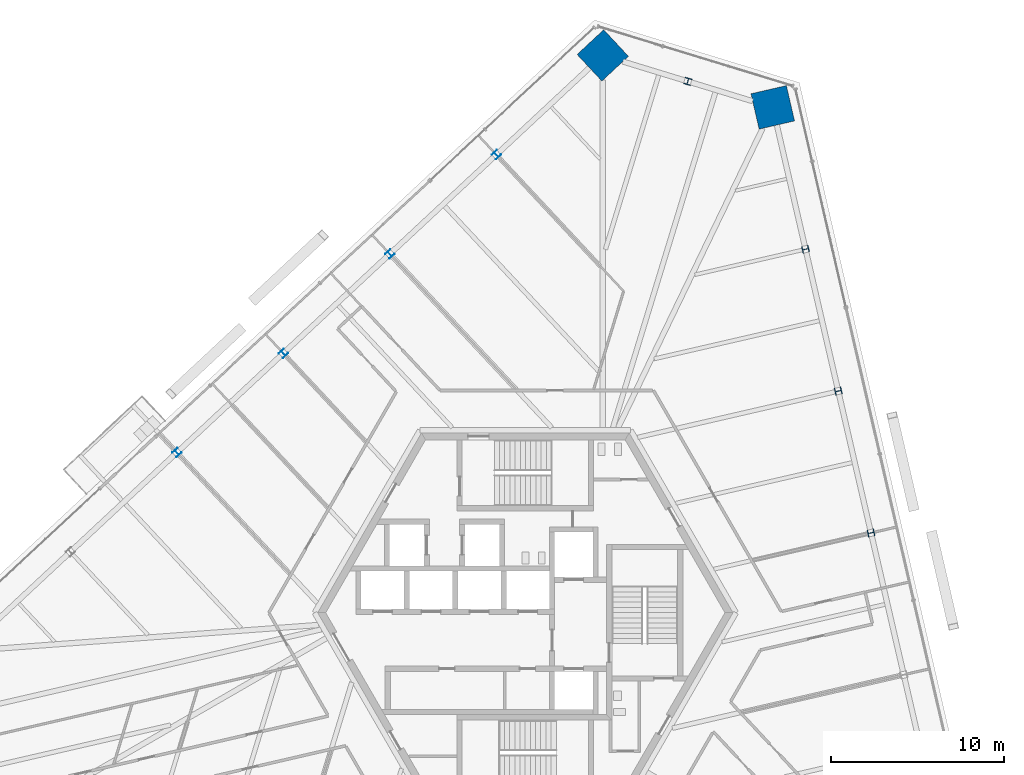
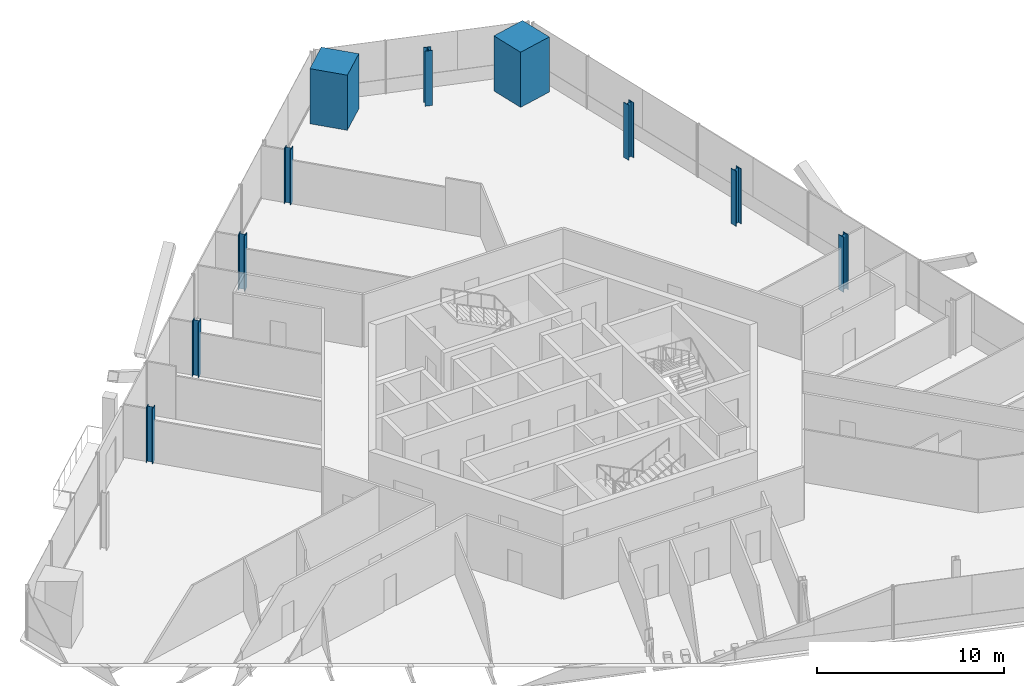
# One storey, part 3 of 20: 10 columns.
"""IFC4 building model written with IfcOpenShell, lengths in metres."""

from ifc_helpers import new_model, si_unit, direction, frame, origin, origin_2d, place, context, subcontext, project, spatial, rectangle, i_section, extrude, source, transform, mapped, material, material_profile, profile_set, type_object, element, save


model = new_model("IFC4")

# Units and contexts
model_context = context("Model", 3, precision=1e-05, world=origin(), true_north=direction((0.0, 1.0)))
body_context = subcontext(model_context, "Body", "Model", "MODEL_VIEW")
ifc_project = project(units=[si_unit("LENGTHUNIT", "METRE"), si_unit("AREAUNIT", "SQUARE_METRE"), si_unit("VOLUMEUNIT", "CUBIC_METRE"), si_unit("PLANEANGLEUNIT", "RADIAN"), si_unit("MASSUNIT", "GRAM", prefix="KILO")], contexts=[model_context])

# Site, building, storey
site_placement = place(None, origin())
site = spatial("IfcSite", under=ifc_project, at=site_placement, CompositionType="ELEMENT")
building_placement = place(site_placement, origin())
building = spatial("IfcBuilding", under=site, at=building_placement, Name="Triune Harvest Tower", CompositionType="ELEMENT")
storey_placement = place(building_placement, frame((0.0, 0.0, 116.300048828125)))
storey = spatial("IfcBuildingStorey", under=building, at=storey_placement, Name="L29", CompositionType="ELEMENT", Elevation=116.300048828125)

# Columns
ifc_material_1 = material(Name="Concrete 70 MPa", Category="concrete")
ifc_material_profile_1 = material_profile(ifc_material_1, rectangle(XDim=2.10009765625, YDim=2.10009765625, at=origin_2d()), Name="Composite 2100x2100")
ifc_profile_set_1 = profile_set([ifc_material_profile_1], Name="Concrete 70 MPa")
column_type_1 = type_object("IfcColumnType", Name="MC-3 Mega column Composite 2100x2100", PredefinedType="COLUMN", material=ifc_profile_set_1)
shared_shape_1 = source(origin(), body_context, "Body", "SweptSolid", [
    extrude(rectangle(XDim=2.10009765625, YDim=2.10009765625, at=origin_2d()), origin(), (0.0, 0.0, 1.0), 3.599853515625),
])
for number, where, z_axis, x_axis, name in (
    (1, (14.301513671875, 29.208984375, 0.0), (0.0, 0.0, 1.0), (-0.22495275494, 0.97436967217, 0.0), "col/L29/M6"),
    (2, (4.47705078125, 32.212646484375, 0.0), (0.0, 0.0, 1.0), (-0.73135489193, -0.681997083608, 0.0), "col/L29/M8"),
):
    element("IfcColumn", number, at=place(storey_placement, frame(where, z_axis=z_axis, x_axis=x_axis)), inside=storey, type_object=column_type_1, Name=name, PredefinedType="COLUMN", context=body_context, shape_type="MappedRepresentation", body=[
        mapped(shared_shape_1, transform((0.0, 0.0, 0.0), scale=1.0)),
    ])
ifc_material_2 = material(Name="Steel ASTM A992 Gr 50", Category="steel")
ifc_material_profile_2 = material_profile(ifc_material_2, i_section(OverallWidth=0.396240234375, OverallDepth=0.381103515625, WebThickness=0.01904296875, FlangeThickness=0.0302734375, at=origin_2d()), Name="W14x159")
ifc_profile_set_2 = profile_set([ifc_material_profile_2], Name="Steel ASTM A992 Gr 50")
column_type_2 = type_object("IfcColumnType", Name="PC-3 Perimeter column W14x159", PredefinedType="COLUMN", material=ifc_profile_set_2)
shared_shape_2 = source(origin(), body_context, "Body", "SweptSolid", [
    extrude(i_section(OverallWidth=0.396240234375, OverallDepth=0.381103515625, WebThickness=0.01904296875, FlangeThickness=0.0302734375, at=origin_2d()), origin(), (0.0, 0.0, 1.0), 3.599853515625),
])
for number, where, z_axis, x_axis, name in (
    (3, (19.97998046875, 4.61279296875, 0.0), (0.0, 0.0, 1.0), (-0.22495275494, 0.97436967217, 0.0), "col/L29/P3"),
    (4, (18.087158203125, 12.8115234375, 0.0), (0.0, 0.0, 1.0), (-0.22495275494, 0.97436967217, 0.0), "col/L29/P4"),
    (5, (16.1943359375, 21.01025390625, 0.0), (0.0, 0.0, 1.0), (-0.22495275494, 0.97436967217, 0.0), "col/L29/P5"),
    (6, (9.389404296875, 30.7109375, 0.0), (0.0, 0.0, 1.0), (-0.956304755963, 0.292371704723, 0.0), "col/L29/P7"),
    (7, (-1.6767578125, 26.47412109375, 0.0), (0.0, 0.0, 1.0), (-0.73135489193, -0.681997083608, 0.0), "col/L29/P9"),
    (8, (-7.830810546875, 20.7353515625, 0.0), (0.0, 0.0, 1.0), (-0.73135489193, -0.681997083608, 0.0), "col/L29/P10"),
    (9, (-13.984619140625, 14.996826171875, 0.0), (0.0, 0.0, 1.0), (-0.73135489193, -0.681997083608, 0.0), "col/L29/P11"),
    (10, (-20.138671875, 9.25830078125, 0.0), (0.0, 0.0, 1.0), (-0.73135489193, -0.681997083608, 0.0), "col/L29/P12"),
):
    element("IfcColumn", number, at=place(storey_placement, frame(where, z_axis=z_axis, x_axis=x_axis)), inside=storey, type_object=column_type_2, Name=name, PredefinedType="COLUMN", context=body_context, shape_type="MappedRepresentation", body=[
        mapped(shared_shape_2, transform((0.0, 0.0, 0.0), scale=1.0)),
    ])

save(model, "model.ifc")
